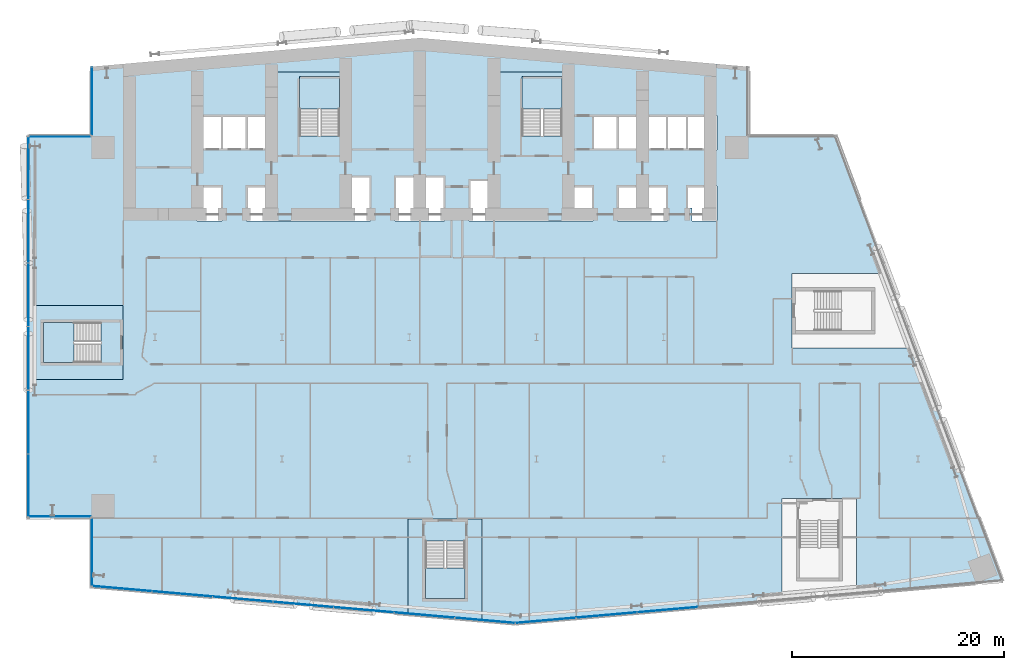
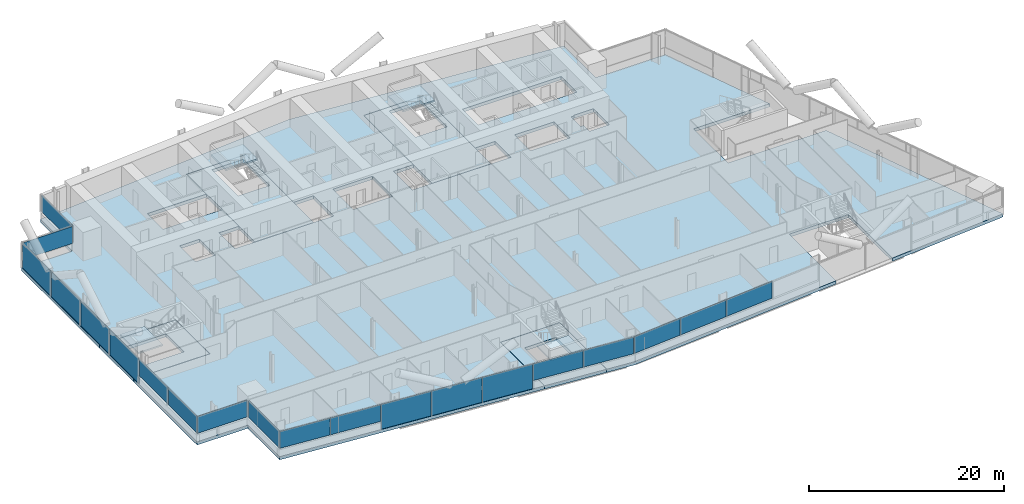
# One storey, part 11 of 27: 20 plates, 9 slabs, 11 elements without a shape of their own.
"""IFC4 building model written with IfcOpenShell, lengths in metres."""

from ifc_helpers import new_model, si_unit, direction, frame, origin, origin_2d, place, context, subcontext, project, spatial, polyline, rectangle, outline, extrude, material, layer, layer_set, type_object, element, aggregate, save


model = new_model("IFC4")

# Units and contexts
model_context = context("Model", 3, precision=1e-05, world=origin(), true_north=direction((0.0, 1.0)))
body_context = subcontext(model_context, "Body", "Model", "MODEL_VIEW")
ifc_project = project(units=[si_unit("LENGTHUNIT", "METRE"), si_unit("AREAUNIT", "SQUARE_METRE"), si_unit("VOLUMEUNIT", "CUBIC_METRE"), si_unit("PLANEANGLEUNIT", "RADIAN"), si_unit("MASSUNIT", "GRAM", prefix="KILO")], contexts=[model_context])

# Site, building, storey
site_placement = place(None, origin())
site = spatial("IfcSite", under=ifc_project, at=site_placement, CompositionType="ELEMENT")
building_placement = place(site_placement, origin())
building = spatial("IfcBuilding", under=site, at=building_placement, Name="Wharfspan Tower", CompositionType="ELEMENT")
storey_placement = place(building_placement, frame((0.0, 0.0, 55.899902)))
storey = spatial("IfcBuildingStorey", under=building, at=storey_placement, Name="L10", CompositionType="ELEMENT", Elevation=55.899902)

# Curtain wall, plates
ifc_material_1 = material(Name="Aluminium 6063-T6", Category="aluminium")
curtain_wall_type_1 = type_object("IfcCurtainWallType", Name="CURTAIN WALL FACETED FRONT", PredefinedType="NOTDEFINED", material=ifc_material_1)
curtain_wall_1_placement = place(storey_placement, origin())
curtain_wall_1 = element("IfcCurtainWall", 1, at=curtain_wall_1_placement, inside=storey, type_object=curtain_wall_type_1, Name="Curtain wall S1", PredefinedType="NOTDEFINED")
ifc_material_2 = material(Name="Glass clear low-iron double glazing", Category="glass")
ifc_layer_1 = layer(ifc_material_2, 0.040039)
ifc_layer_set_1 = layer_set([ifc_layer_1], Name="Glass clear low-iron double glazing")
plate_type_1 = type_object("IfcPlateType", Name="GLASS PANEL FACETED FRONT 40", PredefinedType="CURTAIN_PANEL", material=ifc_layer_set_1)
plate_1_placement = place(storey_placement, frame((8.877197, -0.716553, 1.0), z_axis=(0.0, 0.0, 1.0), x_axis=(0.996197, -0.087156, 0.0)))
plate_1 = element("IfcPlate", 2, at=plate_1_placement, type_object=plate_type_1, Name="Curtain wall S1 panel 1", PredefinedType="CURTAIN_PANEL", context=body_context, shape_type="SweptSolid", body=[
    extrude(rectangle(XDim=5.645996, YDim=0.040039, at=origin_2d()), origin(), (0.0, 0.0, 1.0), 2.120117),
])
plate_2_placement = place(storey_placement, frame((14.57666, -1.215088, 1.0), z_axis=(0.0, 0.0, 1.0), x_axis=(0.996197, -0.087156, 0.0)))
plate_2 = element("IfcPlate", 3, at=plate_2_placement, type_object=plate_type_1, Name="Curtain wall S1 panel 2", PredefinedType="CURTAIN_PANEL", context=body_context, shape_type="SweptSolid", body=[
    extrude(rectangle(XDim=5.676025, YDim=0.040039, at=origin_2d()), origin(), (0.0, 0.0, 1.0), 2.120117),
])
plate_3_placement = place(storey_placement, frame((37.433838, -3.214844, 1.0), z_axis=(0.0, 0.0, 1.0), x_axis=(0.996197, -0.087156, 0.0)))
plate_3 = element("IfcPlate", 4, at=plate_3_placement, type_object=plate_type_1, Name="Curtain wall S1 panel 6", PredefinedType="CURTAIN_PANEL", context=body_context, shape_type="SweptSolid", body=[
    extrude(rectangle(XDim=5.676025, YDim=0.040039, at=origin_2d()), origin(), (0.0, 0.0, 1.0), 2.120117),
])
plate_4_placement = place(storey_placement, frame((43.133057, -3.713379, 1.0), z_axis=(0.0, 0.0, 1.0), x_axis=(0.996197, -0.087156, 0.0)))
plate_4 = element("IfcPlate", 5, at=plate_4_placement, type_object=plate_type_1, Name="Curtain wall S1 panel 7", PredefinedType="CURTAIN_PANEL", context=body_context, shape_type="SweptSolid", body=[
    extrude(rectangle(XDim=5.645996, YDim=0.040039, at=origin_2d()), origin(), (0.0, 0.0, 1.0), 2.120117),
])

curtain_wall_2_placement = place(storey_placement, origin())
curtain_wall_2 = element("IfcCurtainWall", 6, at=curtain_wall_2_placement, inside=storey, type_object=curtain_wall_type_1, Name="Curtain wall S2", PredefinedType="NOTDEFINED")
plate_5_placement = place(storey_placement, frame((48.884766, -3.711914, 1.0), z_axis=(0.0, 0.0, 1.0), x_axis=(0.996197, 0.087156, 0.0)))
plate_5 = element("IfcPlate", 7, at=plate_5_placement, type_object=plate_type_1, Name="Curtain wall S2 panel 1", PredefinedType="CURTAIN_PANEL", context=body_context, shape_type="SweptSolid", body=[
    extrude(rectangle(XDim=5.681885, YDim=0.040039, at=origin_2d()), origin(), (0.0, 0.0, 1.0), 2.120117),
])
plate_6_placement = place(storey_placement, frame((54.619873, -3.210205, 1.0), z_axis=(0.0, 0.0, 1.0), x_axis=(0.996197, 0.087156, 0.0)))
plate_6 = element("IfcPlate", 8, at=plate_6_placement, type_object=plate_type_1, Name="Curtain wall S2 panel 2", PredefinedType="CURTAIN_PANEL", context=body_context, shape_type="SweptSolid", body=[
    extrude(rectangle(XDim=5.711914, YDim=0.040039, at=origin_2d()), origin(), (0.0, 0.0, 1.0), 2.120117),
])
plate_7_placement = place(storey_placement, frame((60.369873, -2.707031, 1.0), z_axis=(0.0, 0.0, 1.0), x_axis=(0.996197, 0.087156, 0.0)))
plate_7 = element("IfcPlate", 9, at=plate_7_placement, type_object=plate_type_1, Name="Curtain wall S2 panel 3", PredefinedType="CURTAIN_PANEL", context=body_context, shape_type="SweptSolid", body=[
    extrude(rectangle(XDim=5.711914, YDim=0.040039, at=origin_2d()), origin(), (0.0, 0.0, 1.0), 2.120117),
])
aggregate(curtain_wall_2, [plate_5, plate_6, plate_7])

# Curtain wall, plate
curtain_wall_type_2 = type_object("IfcCurtainWallType", Name="CURTAIN WALL PROW AND END", PredefinedType="NOTDEFINED", material=ifc_material_1)
curtain_wall_3_placement = place(storey_placement, origin())
curtain_wall_3 = element("IfcCurtainWall", 10, at=curtain_wall_3_placement, inside=storey, type_object=curtain_wall_type_2, Name="Curtain wall NRW-V", PredefinedType="NOTDEFINED")
ifc_layer_2 = layer(ifc_material_2, 0.040039)
ifc_layer_set_2 = layer_set([ifc_layer_2], Name="Glass clear low-iron double glazing")
plate_type_2 = type_object("IfcPlateType", Name="GLASS PANEL PROW AND END 40", PredefinedType="CURTAIN_PANEL", material=ifc_layer_set_2)
plate_8_placement = place(storey_placement, frame((6.080078, 45.262451, 1.0), z_axis=(0.0, 0.0, 1.0), x_axis=(0.0, -1.0, 0.0)))
plate_8 = element("IfcPlate", 11, at=plate_8_placement, type_object=plate_type_2, Name="Curtain wall NRW-V panel 1", PredefinedType="CURTAIN_PANEL", context=body_context, shape_type="SweptSolid", body=[
    extrude(rectangle(XDim=6.405029, YDim=0.040039, at=origin_2d()), origin(), (0.0, 0.0, 1.0), 2.120117),
])
aggregate(curtain_wall_3, [plate_8])

curtain_wall_4_placement = place(storey_placement, origin())
curtain_wall_4 = element("IfcCurtainWall", 12, at=curtain_wall_4_placement, inside=storey, type_object=curtain_wall_type_2, Name="Curtain wall NRW-H", PredefinedType="NOTDEFINED")
plate_9_placement = place(storey_placement, frame((3.0, 41.919922, 1.0), z_axis=(0.0, 0.0, 1.0), x_axis=(-1.0, 0.0, 0.0)))
plate_9 = element("IfcPlate", 13, at=plate_9_placement, type_object=plate_type_2, Name="Curtain wall NRW-H panel 1", PredefinedType="CURTAIN_PANEL", context=body_context, shape_type="SweptSolid", body=[
    extrude(rectangle(XDim=5.879883, YDim=0.040039, at=origin_2d()), origin(), (0.0, 0.0, 1.0), 2.120117),
])
aggregate(curtain_wall_4, [plate_9])

# Curtain wall, plates
curtain_wall_5_placement = place(storey_placement, origin())
curtain_wall_5 = element("IfcCurtainWall", 14, at=curtain_wall_5_placement, inside=storey, type_object=curtain_wall_type_2, Name="Curtain wall W", PredefinedType="NOTDEFINED")
plate_10_placement = place(storey_placement, frame((0.080078, 15.0, 1.0), z_axis=(0.0, 0.0, 1.0), x_axis=(0.0, -1.0, 0.0)))
plate_10 = element("IfcPlate", 15, at=plate_10_placement, type_object=plate_type_2, Name="Curtain wall W panel 5", PredefinedType="CURTAIN_PANEL", context=body_context, shape_type="SweptSolid", body=[
    extrude(rectangle(XDim=5.939941, YDim=0.040039, at=origin_2d()), origin(), (0.0, 0.0, 1.0), 2.120117),
])
plate_11_placement = place(storey_placement, frame((0.080078, 9.014893, 1.0), z_axis=(0.0, 0.0, 1.0), x_axis=(0.0, -1.0, 0.0)))
plate_11 = element("IfcPlate", 16, at=plate_11_placement, type_object=plate_type_2, Name="Curtain wall W panel 6", PredefinedType="CURTAIN_PANEL", context=body_context, shape_type="SweptSolid", body=[
    extrude(rectangle(XDim=5.909912, YDim=0.040039, at=origin_2d()), origin(), (0.0, 0.0, 1.0), 2.120117),
])

# Curtain wall, plate
curtain_wall_6_placement = place(storey_placement, origin())
curtain_wall_6 = element("IfcCurtainWall", 17, at=curtain_wall_6_placement, inside=storey, type_object=curtain_wall_type_2, Name="Curtain wall NFW-H", PredefinedType="NOTDEFINED")
plate_12_placement = place(storey_placement, frame((3.0, 6.080078, 1.0), z_axis=(0.0, 0.0, 1.0), x_axis=(1.0, 0.0, 0.0)))
plate_12 = element("IfcPlate", 18, at=plate_12_placement, type_object=plate_type_2, Name="Curtain wall NFW-H panel 1", PredefinedType="CURTAIN_PANEL", context=body_context, shape_type="SweptSolid", body=[
    extrude(rectangle(XDim=5.879883, YDim=0.040039, at=origin_2d()), origin(), (0.0, 0.0, 1.0), 2.120117),
])
aggregate(curtain_wall_6, [plate_12])

curtain_wall_7_placement = place(storey_placement, origin())
curtain_wall_7 = element("IfcCurtainWall", 19, at=curtain_wall_7_placement, inside=storey, type_object=curtain_wall_type_2, Name="Curtain wall NFW-V", PredefinedType="NOTDEFINED")
plate_13_placement = place(storey_placement, frame((6.080078, 2.737549, 1.0), z_axis=(0.0, 0.0, 1.0), x_axis=(0.0, -1.0, 0.0)))
plate_13 = element("IfcPlate", 20, at=plate_13_placement, type_object=plate_type_2, Name="Curtain wall NFW-V panel 1", PredefinedType="CURTAIN_PANEL", context=body_context, shape_type="SweptSolid", body=[
    extrude(rectangle(XDim=6.405029, YDim=0.040039, at=origin_2d()), origin(), (0.0, 0.0, 1.0), 2.120117),
])
aggregate(curtain_wall_7, [plate_13])

# Plate
ifc_material_3 = material(Name="Aluminium composite opaque insulated panel", Category="aluminium")
ifc_layer_3 = layer(ifc_material_3, 0.040039)
ifc_layer_set_3 = layer_set([ifc_layer_3], Name="Aluminium composite opaque insulated panel")
plate_type_3 = type_object("IfcPlateType", Name="INFILL PANEL FACETED FRONT OPAQUE 40", PredefinedType="SHEET", material=ifc_layer_set_3)
plate_14_placement = place(storey_placement, frame((20.291016, -1.715088, 0.0), z_axis=(0.0, 0.0, 1.0), x_axis=(0.996197, -0.087156, 0.0)))
plate_14 = element("IfcPlate", 21, at=plate_14_placement, type_object=plate_type_3, Name="Curtain wall S1 panel 3", PredefinedType="SHEET", context=body_context, shape_type="SweptSolid", body=[
    extrude(rectangle(XDim=5.676025, YDim=0.040039, at=origin_2d()), origin(), (0.0, 0.0, 1.0), 3.120117),
])

plate_15_placement = place(storey_placement, frame((26.005127, -2.214844, 0.0), z_axis=(0.0, 0.0, 1.0), x_axis=(0.996197, -0.087156, 0.0)))
plate_15 = element("IfcPlate", 22, at=plate_15_placement, type_object=plate_type_3, Name="Curtain wall S1 panel 4", PredefinedType="SHEET", context=body_context, shape_type="SweptSolid", body=[
    extrude(rectangle(XDim=5.676025, YDim=0.040039, at=origin_2d()), origin(), (0.0, 0.0, 1.0), 3.120117),
])

plate_16_placement = place(storey_placement, frame((31.719482, -2.714844, 0.0), z_axis=(0.0, 0.0, 1.0), x_axis=(0.996197, -0.087156, 0.0)))
plate_16 = element("IfcPlate", 23, at=plate_16_placement, type_object=plate_type_3, Name="Curtain wall S1 panel 5", PredefinedType="SHEET", context=body_context, shape_type="SweptSolid", body=[
    extrude(rectangle(XDim=5.676025, YDim=0.040039, at=origin_2d()), origin(), (0.0, 0.0, 1.0), 3.120117),
])

aggregate(curtain_wall_1, [plate_1, plate_2, plate_14, plate_15, plate_16, plate_3, plate_4])

ifc_layer_4 = layer(ifc_material_3, 0.040039)
ifc_layer_set_4 = layer_set([ifc_layer_4], Name="Aluminium composite opaque insulated panel")
plate_type_4 = type_object("IfcPlateType", Name="INFILL PANEL PROW AND END OPAQUE 40", PredefinedType="SHEET", material=ifc_layer_set_4)
plate_17_placement = place(storey_placement, frame((0.080078, 38.985107, 0.0), z_axis=(0.0, 0.0, 1.0), x_axis=(0.0, -1.0, 0.0)))
plate_17 = element("IfcPlate", 24, at=plate_17_placement, type_object=plate_type_4, Name="Curtain wall W panel 1", PredefinedType="SHEET", context=body_context, shape_type="SweptSolid", body=[
    extrude(rectangle(XDim=5.909912, YDim=0.040039, at=origin_2d()), origin(), (0.0, 0.0, 1.0), 3.120117),
])

plate_18_placement = place(storey_placement, frame((0.080078, 33.0, 0.0), z_axis=(0.0, 0.0, 1.0), x_axis=(0.0, -1.0, 0.0)))
plate_18 = element("IfcPlate", 25, at=plate_18_placement, type_object=plate_type_4, Name="Curtain wall W panel 2", PredefinedType="SHEET", context=body_context, shape_type="SweptSolid", body=[
    extrude(rectangle(XDim=5.939941, YDim=0.040039, at=origin_2d()), origin(), (0.0, 0.0, 1.0), 3.120117),
])

plate_19_placement = place(storey_placement, frame((0.080078, 27.0, 0.0), z_axis=(0.0, 0.0, 1.0), x_axis=(0.0, -1.0, 0.0)))
plate_19 = element("IfcPlate", 26, at=plate_19_placement, type_object=plate_type_4, Name="Curtain wall W panel 3", PredefinedType="SHEET", context=body_context, shape_type="SweptSolid", body=[
    extrude(rectangle(XDim=5.939941, YDim=0.040039, at=origin_2d()), origin(), (0.0, 0.0, 1.0), 3.120117),
])

plate_20_placement = place(storey_placement, frame((0.080078, 21.0, 0.0), z_axis=(0.0, 0.0, 1.0), x_axis=(0.0, -1.0, 0.0)))
plate_20 = element("IfcPlate", 27, at=plate_20_placement, type_object=plate_type_4, Name="Curtain wall W panel 4", PredefinedType="SHEET", context=body_context, shape_type="SweptSolid", body=[
    extrude(rectangle(XDim=5.939941, YDim=0.040039, at=origin_2d()), origin(), (0.0, 0.0, 1.0), 3.120117),
])

aggregate(curtain_wall_5, [plate_17, plate_18, plate_19, plate_20, plate_10, plate_11])

# Slabs
ifc_material_4 = material(Name="Concrete C40/50", Category="concrete")
ifc_layer_5 = layer(ifc_material_4, 0.399902)
ifc_layer_set_5 = layer_set([ifc_layer_5], Name="Concrete C40/50")
slab_type_1 = type_object("IfcSlabType", Name="Post-tensioned flat slab 400", PredefinedType="FLOOR", material=ifc_layer_set_5)
slab_1_placement = place(storey_placement, frame((0.0, 0.0, -0.400146)))
element("IfcSlab", 28, at=slab_1_placement, inside=storey, type_object=slab_type_1, Name="Floor slab L10", PredefinedType="FLOOR", context=body_context, shape_type="SweptSolid", body=[
    extrude(outline(polyline([(35.873291, -3.138428), (35.873291, 5.870605), (42.893311, 5.870605), (42.893311, -3.752686), (46.0, -4.024414), (71.182617, -1.821289), (71.182617, 7.802002), (78.202393, 7.802002), (78.202393, -1.207031), (92.0, 0.0), (83.753662, 21.98999), (72.11499, 21.98999), (72.11499, 29.01001), (81.121338, 29.01001), (76.25, 42.0), (68.0, 42.0), (68.0, 48.524902), (37.0, 51.237061), (6.0, 48.524902), (6.0, 42.0), (0.0, 42.0), (0.0, 26.01001), (9.01001, 26.01001), (9.01001, 18.98999), (0.0, 18.98999), (0.0, 6.0), (6.0, 6.0), (6.0, -0.524902), (35.873291, -3.138428)]), holes=[polyline([(62.290039, 37.159912), (62.656738, 37.159912), (62.656738, 37.26001), (65.01001, 37.26001), (65.01001, 33.98999), (62.656738, 33.98999), (62.656738, 35.189941), (62.290039, 35.189941), (62.290039, 37.159912)]), polyline([(65.01001, 43.909912), (65.01001, 40.689941), (53.323242, 40.689941), (53.323242, 43.909912), (65.01001, 43.909912)]), polyline([(55.656738, 33.98999), (55.656738, 37.26001), (60.343262, 37.26001), (60.343262, 33.98999), (55.656738, 33.98999)]), polyline([(43.98999, 37.860107), (43.98999, 48.01001), (51.01001, 48.01001), (51.01001, 37.26001), (53.343262, 37.26001), (53.343262, 33.98999), (41.656738, 33.98999), (41.656738, 37.860107), (43.98999, 37.860107)]), polyline([(34.656738, 33.98999), (34.656738, 38.159912), (39.343262, 38.159912), (39.343262, 33.98999), (34.656738, 33.98999)]), polyline([(15.98999, 40.689941), (15.98999, 43.909912), (20.656738, 43.909912), (20.676758, 43.909912), (22.98999, 43.909912), (22.98999, 48.01001), (30.01001, 48.01001), (30.01001, 38.159912), (32.343262, 38.159912), (32.343262, 33.98999), (20.656738, 33.98999), (20.656738, 37.26001), (22.98999, 37.26001), (22.98999, 40.689941), (20.676758, 40.689941), (20.656738, 40.689941), (15.98999, 40.689941)]), polyline([(18.343262, 37.26001), (18.343262, 33.98999), (15.98999, 33.98999), (15.98999, 37.26001), (18.343262, 37.26001)])]), origin(), (0.0, 0.0, 1.0), 0.400146),
])
slab_2_placement = place(storey_placement, frame((0.0, 0.0, -0.400146)))
element("IfcSlab", 29, at=slab_2_placement, inside=storey, type_object=slab_type_1, Name="Core floor slab L10 part 1", PredefinedType="FLOOR", context=body_context, shape_type="SweptSolid", body=[
    extrude(outline(polyline([(9.0, 20.324951), (9.0, 24.675049), (9.0, 26.0), (0.0, 26.0), (0.0, 19.0), (9.0, 19.0), (9.0, 20.324951)]), holes=[polyline([(6.9021, 20.625), (6.9021, 20.624756), (6.9021, 20.624512), (6.901855, 20.624512), (6.901855, 20.624268), (6.901855, 20.624023), (6.901611, 20.623779), (6.901611, 20.623779), (6.901367, 20.623535), (6.901367, 20.623535), (6.901123, 20.623291), (6.900879, 20.623291), (6.900879, 20.623291), (6.900635, 20.623047), (6.900391, 20.623047), (6.900146, 20.623047), (6.899902, 20.623047), (1.5, 20.623047), (1.499756, 20.623047), (1.499512, 20.623047), (1.499512, 20.623047), (1.499268, 20.623291), (1.499023, 20.623291), (1.498779, 20.623291), (1.498779, 20.623535), (1.498535, 20.623535), (1.498535, 20.623779), (1.498291, 20.623779), (1.498291, 20.624023), (1.498291, 20.624268), (1.498047, 20.624512), (1.498047, 20.624512), (1.498047, 20.624756), (1.498047, 20.625), (1.498047, 24.375), (1.498047, 24.375244), (1.498047, 24.375488), (1.498047, 24.375488), (1.498291, 24.375732), (1.498291, 24.375977), (1.498291, 24.376221), (1.498535, 24.376221), (1.498535, 24.376465), (1.498779, 24.376465), (1.498779, 24.376709), (1.499023, 24.376709), (1.499268, 24.376709), (1.499512, 24.376953), (1.499512, 24.376953), (1.499756, 24.376953), (1.5, 24.376953), (6.899902, 24.376953), (6.900146, 24.376953), (6.900391, 24.376953), (6.900635, 24.376953), (6.900879, 24.376709), (6.900879, 24.376709), (6.901123, 24.376709), (6.901367, 24.376465), (6.901367, 24.376465), (6.901611, 24.376221), (6.901611, 24.376221), (6.901855, 24.375977), (6.901855, 24.375732), (6.901855, 24.375488), (6.9021, 24.375488), (6.9021, 24.375244), (6.9021, 24.375), (6.9021, 20.625)])]), origin(), (0.0, 0.0, 1.0), 0.400146),
])
slab_3_placement = place(storey_placement, frame((0.0, 0.0, -0.400146)))
element("IfcSlab", 30, at=slab_3_placement, inside=storey, type_object=slab_type_1, Name="Core floor slab L10 part 2", PredefinedType="FLOOR", context=body_context, shape_type="SweptSolid", body=[
    extrude(outline(polyline([(20.664795, 34.0), (20.664795, 37.25), (20.664795, 37.250244), (20.664795, 37.250488), (20.664795, 37.250488), (20.664795, 37.250732), (20.664795, 37.250977), (20.665039, 37.251221), (20.665039, 37.251221), (20.665283, 37.251465), (20.665283, 37.251465), (20.665527, 37.251709), (20.665771, 37.251709), (20.666016, 37.251709), (20.666016, 37.251953), (20.66626, 37.251953), (20.666504, 37.251953), (20.666748, 37.251953), (23.0, 37.251953), (23.000244, 37.251953), (23.000488, 37.251953), (23.000488, 37.251953), (23.000732, 37.251709), (23.000977, 37.251709), (23.001221, 37.251709), (23.001221, 37.251465), (23.001465, 37.251465), (23.001465, 37.251221), (23.001709, 37.251221), (23.001709, 37.250977), (23.001709, 37.250732), (23.001953, 37.250488), (23.001953, 37.250488), (23.001953, 37.250244), (23.001953, 37.25), (23.001953, 34.0), (29.998047, 34.0), (29.998047, 38.149902), (29.998047, 38.150146), (29.998047, 38.150391), (29.998047, 38.150635), (29.998291, 38.150879), (29.998291, 38.150879), (29.998291, 38.151123), (29.998535, 38.151367), (29.998535, 38.151367), (29.998779, 38.151611), (29.998779, 38.151611), (29.999023, 38.151855), (29.999268, 38.151855), (29.999512, 38.151855), (29.999512, 38.1521), (29.999756, 38.1521), (30.0, 38.1521), (32.333252, 38.1521), (32.333496, 38.1521), (32.33374, 38.1521), (32.333984, 38.151855), (32.333984, 38.151855), (32.334229, 38.151855), (32.334473, 38.151611), (32.334717, 38.151611), (32.334717, 38.151367), (32.334961, 38.151367), (32.334961, 38.151123), (32.335205, 38.150879), (32.335205, 38.150879), (32.335205, 38.150635), (32.335205, 38.150391), (32.335205, 38.150146), (32.335205, 38.149902), (32.335205, 34.0), (32.341309, 34.0), (32.341309, 38.157959), (30.01001, 38.157959), (30.009766, 38.157959), (30.009521, 38.157959), (30.009521, 38.158203), (30.009277, 38.158203), (30.009033, 38.158203), (30.008789, 38.158203), (30.008789, 38.158447), (30.008545, 38.158691), (30.008545, 38.158691), (30.008301, 38.158936), (30.008301, 38.15918), (30.008301, 38.15918), (30.008057, 38.159424), (30.008057, 38.159668), (30.008057, 38.159912), (30.008057, 38.159912), (30.008057, 48.008057), (22.991943, 48.008057), (22.991943, 43.909912), (22.991943, 43.909912), (22.991943, 43.909668), (22.991943, 43.909424), (22.991699, 43.90918), (22.991699, 43.90918), (22.991699, 43.908936), (22.991455, 43.908691), (22.991455, 43.908691), (22.991211, 43.908447), (22.991211, 43.908203), (22.990967, 43.908203), (22.990723, 43.908203), (22.990479, 43.908203), (22.990479, 43.907959), (22.990234, 43.907959), (22.98999, 43.907959), (15.991943, 43.907959), (15.991943, 40.691895), (22.98999, 40.691895), (22.990234, 40.691895), (22.990479, 40.691895), (22.990479, 40.691895), (22.990723, 40.691895), (22.990967, 40.691895), (22.991211, 40.69165), (22.991211, 40.691406), (22.991455, 40.691406), (22.991455, 40.691406), (22.991699, 40.691162), (22.991699, 40.690918), (22.991699, 40.690918), (22.991943, 40.690674), (22.991943, 40.69043), (22.991943, 40.690186), (22.991943, 40.689941), (22.991943, 37.26001), (22.991943, 37.259766), (22.991943, 37.259521), (22.991943, 37.259521), (22.991699, 37.259277), (22.991699, 37.259033), (22.991699, 37.258789), (22.991455, 37.258789), (22.991455, 37.258545), (22.991211, 37.258545), (22.991211, 37.258301), (22.990967, 37.258301), (22.990723, 37.258301), (22.990479, 37.258057), (22.990479, 37.258057), (22.990234, 37.258057), (22.98999, 37.258057), (20.658691, 37.258057), (20.658691, 34.0), (20.664795, 34.0)]), holes=[polyline([(29.4021, 42.0), (29.4021, 41.999756), (29.4021, 41.999512), (29.401855, 41.999512), (29.401855, 41.999268), (29.401855, 41.999023), (29.401611, 41.998779), (29.401611, 41.998779), (29.401367, 41.998535), (29.401367, 41.998535), (29.401123, 41.998291), (29.400879, 41.998291), (29.400879, 41.998291), (29.400635, 41.998047), (29.400391, 41.998047), (29.400146, 41.998047), (29.399902, 41.998047), (25.649902, 41.998047), (25.649902, 41.998047), (25.649658, 41.998047), (25.649414, 41.998047), (25.64917, 41.998291), (25.64917, 41.998291), (25.648926, 41.998291), (25.648682, 41.998535), (25.648682, 41.998535), (25.648438, 41.998779), (25.648193, 41.998779), (25.648193, 41.999023), (25.648193, 41.999268), (25.648193, 41.999512), (25.647949, 41.999512), (25.647949, 41.999756), (25.647949, 42.0), (25.647949, 47.399902), (25.647949, 47.400146), (25.647949, 47.400391), (25.648193, 47.400635), (25.648193, 47.400879), (25.648193, 47.400879), (25.648193, 47.401123), (25.648438, 47.401367), (25.648682, 47.401367), (25.648682, 47.401611), (25.648926, 47.401611), (25.64917, 47.401855), (25.64917, 47.401855), (25.649414, 47.401855), (25.649658, 47.4021), (25.649902, 47.4021), (25.649902, 47.4021), (29.399902, 47.4021), (29.400146, 47.4021), (29.400391, 47.4021), (29.400635, 47.401855), (29.400879, 47.401855), (29.400879, 47.401855), (29.401123, 47.401611), (29.401367, 47.401611), (29.401367, 47.401367), (29.401611, 47.401367), (29.401611, 47.401123), (29.401855, 47.400879), (29.401855, 47.400879), (29.401855, 47.400635), (29.4021, 47.400391), (29.4021, 47.400146), (29.4021, 47.399902), (29.4021, 42.0)]), polyline([(16.0, 40.697998), (15.999756, 40.697998), (15.999512, 40.697998), (15.999512, 40.697998), (15.999268, 40.698242), (15.999023, 40.698242), (15.998779, 40.698242), (15.998779, 40.698486), (15.998535, 40.698486), (15.998535, 40.69873), (15.998291, 40.698975), (15.998291, 40.699219), (15.998291, 40.699219), (15.998047, 40.699463), (15.998047, 40.699707), (15.998047, 40.699707), (15.998047, 40.699951), (15.998047, 43.899902), (15.998047, 43.900146), (15.998047, 43.900391), (15.998047, 43.900635), (15.998291, 43.900879), (15.998291, 43.900879), (15.998291, 43.901123), (15.998535, 43.901367), (15.998535, 43.901367), (15.998779, 43.901611), (15.998779, 43.901611), (15.999023, 43.901855), (15.999268, 43.901855), (15.999512, 43.901855), (15.999512, 43.9021), (15.999756, 43.9021), (16.0, 43.9021), (20.666748, 43.9021), (20.666748, 43.9021), (23.0, 43.9021), (23.000244, 43.9021), (23.000488, 43.9021), (23.000488, 43.901855), (23.000732, 43.901855), (23.000977, 43.901855), (23.001221, 43.901611), (23.001221, 43.901611), (23.001465, 43.901367), (23.001465, 43.901367), (23.001709, 43.901123), (23.001709, 43.900879), (23.001709, 43.900879), (23.001953, 43.900635), (23.001953, 43.900391), (23.001953, 43.900146), (23.001953, 43.899902), (23.001953, 40.699951), (23.001953, 40.699707), (23.001953, 40.699707), (23.001953, 40.699463), (23.001709, 40.699219), (23.001709, 40.699219), (23.001709, 40.698975), (23.001465, 40.69873), (23.001465, 40.698486), (23.001221, 40.698486), (23.001221, 40.698242), (23.000977, 40.698242), (23.000732, 40.698242), (23.000488, 40.697998), (23.000488, 40.697998), (23.000244, 40.697998), (23.0, 40.697998), (20.666748, 40.697998), (20.666748, 40.697998), (16.0, 40.697998)])]), origin(), (0.0, 0.0, 1.0), 0.400146),
])
slab_4_placement = place(storey_placement, frame((0.0, 0.0, -0.400146)))
element("IfcSlab", 31, at=slab_4_placement, inside=storey, type_object=slab_type_1, Name="Core floor slab L10 part 3", PredefinedType="FLOOR", context=body_context, shape_type="SweptSolid", body=[
    extrude(outline(polyline([(41.55835, 5.860596), (37.208252, 5.860596), (35.883301, 5.860596), (35.883301, -3.139404), (42.883301, -3.751709), (42.883301, 5.860596), (41.55835, 5.860596)]), holes=[polyline([(37.506348, 3.760498), (37.506348, 3.760742), (37.506348, 3.760986), (37.506348, 3.76123), (37.506592, 3.761475), (37.506592, 3.761719), (37.506592, 3.761719), (37.506836, 3.761963), (37.506836, 3.761963), (37.50708, 3.762207), (37.50708, 3.762207), (37.507324, 3.762451), (37.507568, 3.762451), (37.507812, 3.762451), (37.507812, 3.762695), (37.508057, 3.762695), (37.508301, 3.762695), (41.258301, 3.762695), (41.258545, 3.762695), (41.258789, 3.762695), (41.258789, 3.762451), (41.259033, 3.762451), (41.259277, 3.762451), (41.259521, 3.762207), (41.259521, 3.762207), (41.259766, 3.761963), (41.26001, 3.761963), (41.26001, 3.761719), (41.26001, 3.761719), (41.260254, 3.761475), (41.260254, 3.76123), (41.260254, 3.760986), (41.260254, 3.760742), (41.260254, 3.760498), (41.260254, -1.639404), (41.260254, -1.639648), (41.260254, -1.639893), (41.260254, -1.639893), (41.260254, -1.640137), (41.26001, -1.640381), (41.26001, -1.640381), (41.26001, -1.640625), (41.259766, -1.640869), (41.259521, -1.640869), (41.259521, -1.641113), (41.259277, -1.641113), (41.259033, -1.641113), (41.258789, -1.641357), (41.258789, -1.641357), (41.258545, -1.641357), (41.258301, -1.641357), (37.508301, -1.641357), (37.508057, -1.641357), (37.507812, -1.641357), (37.507812, -1.641357), (37.507568, -1.641113), (37.507324, -1.641113), (37.50708, -1.641113), (37.50708, -1.640869), (37.506836, -1.640869), (37.506836, -1.640625), (37.506592, -1.640381), (37.506592, -1.640381), (37.506592, -1.640137), (37.506348, -1.639893), (37.506348, -1.639893), (37.506348, -1.639648), (37.506348, -1.639404), (37.506348, 3.760498)])]), origin(), (0.0, 0.0, 1.0), 0.400146),
])
slab_5_placement = place(storey_placement, frame((0.0, 0.0, -0.400146)))
element("IfcSlab", 32, at=slab_5_placement, inside=storey, type_object=slab_type_1, Name="Core floor slab L10 part 4", PredefinedType="FLOOR", context=body_context, shape_type="SweptSolid", body=[
    extrude(outline(polyline([(53.341309, 34.0), (53.341309, 37.258057), (51.01001, 37.258057), (51.009766, 37.258057), (51.009521, 37.258057), (51.009521, 37.258057), (51.009277, 37.258301), (51.009033, 37.258301), (51.008789, 37.258301), (51.008789, 37.258545), (51.008545, 37.258545), (51.008545, 37.258789), (51.008301, 37.258789), (51.008301, 37.259033), (51.008301, 37.259277), (51.008057, 37.259521), (51.008057, 37.259521), (51.008057, 37.259766), (51.008057, 37.26001), (51.008057, 48.008057), (43.991943, 48.008057), (43.991943, 37.860107), (43.991943, 37.859863), (43.991943, 37.859619), (43.991943, 37.859375), (43.991699, 37.859131), (43.991699, 37.859131), (43.991699, 37.858887), (43.991455, 37.858643), (43.991455, 37.858643), (43.991211, 37.858398), (43.991211, 37.858398), (43.990967, 37.858154), (43.990723, 37.858154), (43.990479, 37.858154), (43.990479, 37.85791), (43.990234, 37.85791), (43.98999, 37.85791), (41.658691, 37.85791), (41.658691, 34.0), (41.664795, 34.0), (41.664795, 37.850098), (41.664795, 37.850098), (41.664795, 37.850342), (41.664795, 37.850586), (41.664795, 37.85083), (41.664795, 37.85083), (41.665039, 37.851074), (41.665039, 37.851318), (41.665283, 37.851318), (41.665283, 37.851562), (41.665527, 37.851807), (41.665771, 37.851807), (41.666016, 37.851807), (41.666016, 37.851807), (41.66626, 37.852051), (41.666504, 37.852051), (41.666748, 37.852051), (44.0, 37.852051), (44.000244, 37.852051), (44.000488, 37.852051), (44.000488, 37.851807), (44.000732, 37.851807), (44.000977, 37.851807), (44.001221, 37.851807), (44.001221, 37.851562), (44.001465, 37.851318), (44.001465, 37.851318), (44.001709, 37.851074), (44.001709, 37.85083), (44.001709, 37.85083), (44.001953, 37.850586), (44.001953, 37.850342), (44.001953, 37.850098), (44.001953, 37.850098), (44.001953, 34.0), (50.998047, 34.0), (50.998047, 37.25), (50.998047, 37.250244), (50.998047, 37.250488), (50.998047, 37.250488), (50.998291, 37.250732), (50.998291, 37.250977), (50.998291, 37.251221), (50.998535, 37.251221), (50.998535, 37.251465), (50.998779, 37.251465), (50.998779, 37.251709), (50.999023, 37.251709), (50.999268, 37.251709), (50.999512, 37.251953), (50.999512, 37.251953), (50.999756, 37.251953), (51.0, 37.251953), (53.333252, 37.251953), (53.333496, 37.251953), (53.33374, 37.251953), (53.333984, 37.251953), (53.333984, 37.251709), (53.334229, 37.251709), (53.334473, 37.251709), (53.334717, 37.251465), (53.334717, 37.251465), (53.334961, 37.251221), (53.334961, 37.251221), (53.335205, 37.250977), (53.335205, 37.250732), (53.335205, 37.250488), (53.335205, 37.250488), (53.335205, 37.250244), (53.335205, 37.25), (53.335205, 34.0), (53.341309, 34.0)]), holes=[polyline([(46.649902, 41.998047), (46.649902, 41.998047), (46.649658, 41.998047), (46.649414, 41.998047), (46.64917, 41.998291), (46.64917, 41.998291), (46.648926, 41.998291), (46.648682, 41.998535), (46.648682, 41.998535), (46.648438, 41.998779), (46.648193, 41.998779), (46.648193, 41.999023), (46.648193, 41.999268), (46.648193, 41.999512), (46.647949, 41.999512), (46.647949, 41.999756), (46.647949, 42.0), (46.647949, 47.399902), (46.647949, 47.400146), (46.647949, 47.400391), (46.648193, 47.400635), (46.648193, 47.400879), (46.648193, 47.400879), (46.648193, 47.401123), (46.648438, 47.401367), (46.648682, 47.401367), (46.648682, 47.401611), (46.648926, 47.401611), (46.64917, 47.401855), (46.64917, 47.401855), (46.649414, 47.401855), (46.649658, 47.4021), (46.649902, 47.4021), (46.649902, 47.4021), (50.399902, 47.4021), (50.400146, 47.4021), (50.400391, 47.4021), (50.400635, 47.401855), (50.400879, 47.401855), (50.400879, 47.401855), (50.401123, 47.401611), (50.401367, 47.401611), (50.401367, 47.401367), (50.401611, 47.401367), (50.401611, 47.401123), (50.401855, 47.400879), (50.401855, 47.400879), (50.401855, 47.400635), (50.4021, 47.400391), (50.4021, 47.400146), (50.4021, 47.399902), (50.4021, 42.0), (50.4021, 41.999756), (50.4021, 41.999512), (50.401855, 41.999512), (50.401855, 41.999268), (50.401855, 41.999023), (50.401611, 41.998779), (50.401611, 41.998779), (50.401367, 41.998535), (50.401367, 41.998535), (50.401123, 41.998291), (50.400879, 41.998291), (50.400879, 41.998291), (50.400635, 41.998047), (50.400391, 41.998047), (50.400146, 41.998047), (50.399902, 41.998047), (46.649902, 41.998047)])]), origin(), (0.0, 0.0, 1.0), 0.400146),
])

# Stair, slab
stair_type = type_object("IfcStairType", Name="Half-turn stair 20 risers 180 mm", PredefinedType="HALF_TURN_STAIR", material=ifc_material_4)
stair_1_placement = place(storey_placement, origin())
stair_1 = element("IfcStair", 33, at=stair_1_placement, inside=storey, type_object=stair_type, Name="L10 stair ST1", PredefinedType="HALF_TURN_STAIR")
ifc_layer_6 = layer(ifc_material_4, 0.199951)
ifc_layer_set_6 = layer_set([ifc_layer_6], Name="Concrete C40/50")
slab_type_2 = type_object("IfcSlabType", Name="Stair landing 200", PredefinedType="LANDING", material=ifc_layer_set_6)
slab_6_placement = place(storey_placement, frame((0.0, 0.0, 1.599854)))
slab_6 = element("IfcSlab", 34, at=slab_6_placement, type_object=slab_type_2, Name="ST1 landing 1", PredefinedType="LANDING", context=body_context, shape_type="SweptSolid", body=[
    extrude(outline(polyline([(25.649902, 44.52002), (29.399902, 44.52002), (29.399902, 47.582764), (25.649902, 47.582764), (25.649902, 44.52002)])), origin(), (0.0, 0.0, 1.0), 0.200195),
])
aggregate(stair_1, [slab_6])

stair_2_placement = place(storey_placement, origin())
stair_2 = element("IfcStair", 35, at=stair_2_placement, inside=storey, type_object=stair_type, Name="L10 stair ST2", PredefinedType="HALF_TURN_STAIR")
slab_7_placement = place(storey_placement, frame((0.0, 0.0, 1.599854)))
slab_7 = element("IfcSlab", 36, at=slab_7_placement, type_object=slab_type_2, Name="ST2 landing 1", PredefinedType="LANDING", context=body_context, shape_type="SweptSolid", body=[
    extrude(outline(polyline([(46.649902, 44.52002), (50.399902, 44.52002), (50.399902, 47.582764), (46.649902, 47.582764), (46.649902, 44.52002)])), origin(), (0.0, 0.0, 1.0), 0.200195),
])
aggregate(stair_2, [slab_7])

stair_3_placement = place(storey_placement, origin())
stair_3 = element("IfcStair", 37, at=stair_3_placement, inside=storey, type_object=stair_type, Name="L10 stair ST3", PredefinedType="HALF_TURN_STAIR")
slab_8_placement = place(storey_placement, frame((0.0, 0.0, 1.599854)))
slab_8 = element("IfcSlab", 38, at=slab_8_placement, type_object=slab_type_2, Name="ST3 landing 1", PredefinedType="LANDING", context=body_context, shape_type="SweptSolid", body=[
    extrude(outline(polyline([(4.379883, 24.375), (1.5, 24.375), (1.5, 20.625), (4.379883, 20.625), (4.379883, 24.375)])), origin(), (0.0, 0.0, 1.0), 0.200195),
])
aggregate(stair_3, [slab_8])

stair_4_placement = place(storey_placement, origin())
stair_4 = element("IfcStair", 39, at=stair_4_placement, inside=storey, type_object=stair_type, Name="L10 stair ST4", PredefinedType="HALF_TURN_STAIR")
slab_9_placement = place(storey_placement, frame((0.0, 0.0, 1.599854)))
slab_9 = element("IfcSlab", 40, at=slab_9_placement, type_object=slab_type_2, Name="ST4 landing 1", PredefinedType="LANDING", context=body_context, shape_type="SweptSolid", body=[
    extrude(outline(polyline([(37.508301, 1.240723), (37.508301, -1.639404), (41.258301, -1.639404), (41.258301, 1.240723), (37.508301, 1.240723)])), origin(), (0.0, 0.0, 1.0), 0.200195),
])
aggregate(stair_4, [slab_9])

save(model, "model.ifc")
